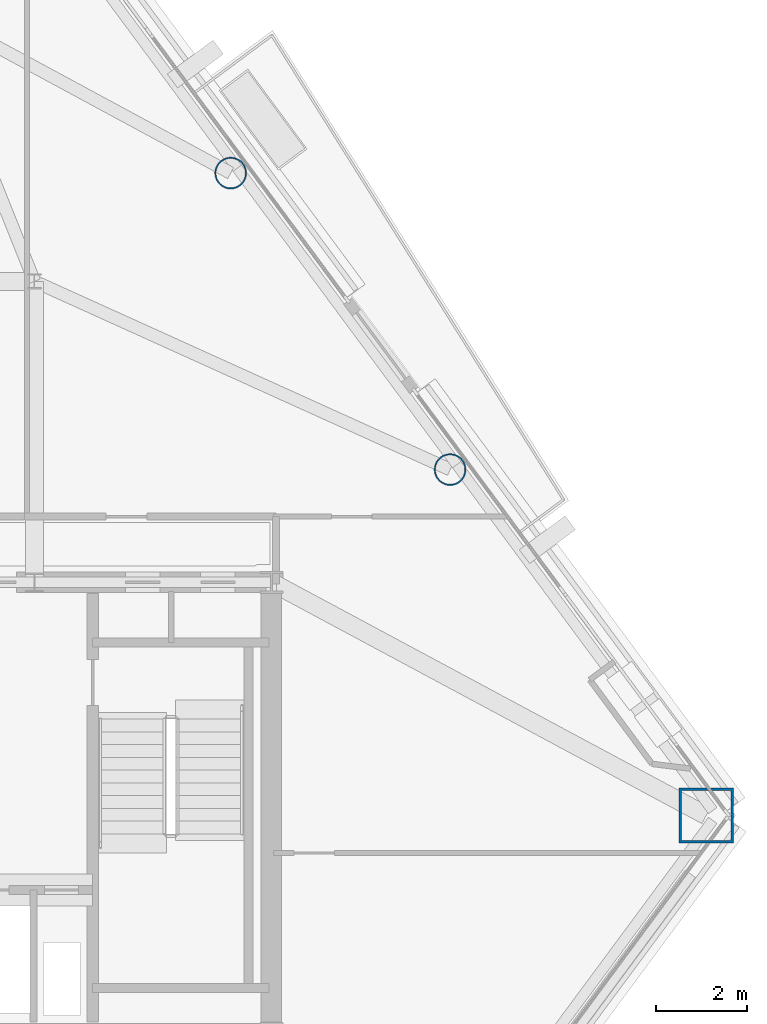
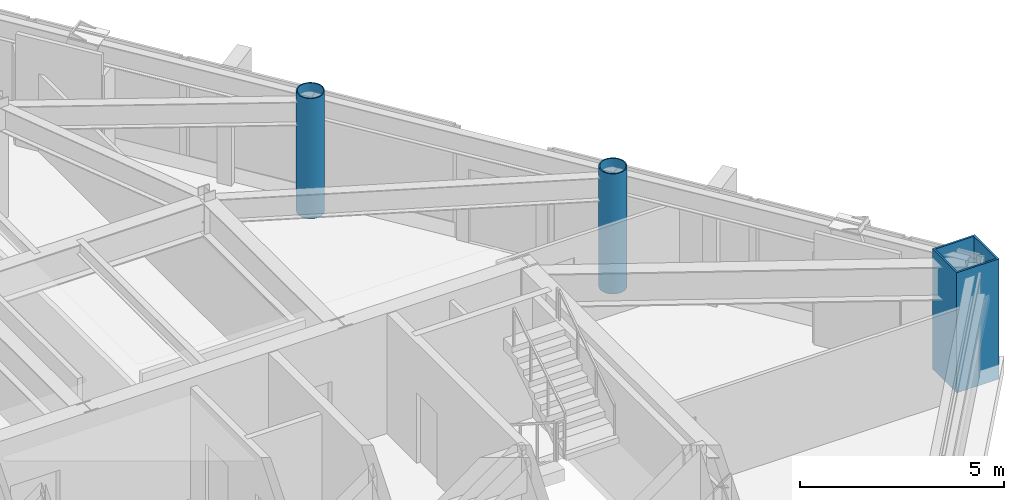
# One storey, part 2 of 13: 3 columns.
"""IFC4 building model written with IfcOpenShell, lengths in metres."""

from ifc_helpers import new_model, si_unit, direction, frame, origin, origin_2d, place, context, subcontext, project, spatial, hollow_rectangle, hollow_circle, extrude, material, material_profile, profile_set, type_object, element, save


model = new_model("IFC4")

# Units and contexts
model_context = context("Model", 3, precision=1e-05, world=origin(), true_north=direction((0.0, 1.0)))
body_context = subcontext(model_context, "Body", "Model", "MODEL_VIEW")
ifc_project = project(units=[si_unit("LENGTHUNIT", "METRE"), si_unit("AREAUNIT", "SQUARE_METRE"), si_unit("VOLUMEUNIT", "CUBIC_METRE"), si_unit("PLANEANGLEUNIT", "RADIAN"), si_unit("MASSUNIT", "GRAM", prefix="KILO")], contexts=[model_context])

# Site, building, storey
site_placement = place(None, origin())
site = spatial("IfcSite", under=ifc_project, at=site_placement, CompositionType="ELEMENT")
building_placement = place(site_placement, origin())
building = spatial("IfcBuilding", under=site, at=building_placement, Name="Talgorran Terracotta Tower", CompositionType="ELEMENT")
storey_placement = place(building_placement, frame((0.0, 0.0, 99.60009765625)))
storey = spatial("IfcBuildingStorey", under=building, at=storey_placement, Name="L25", CompositionType="ELEMENT", Elevation=99.60009765625)

# Columns
ifc_material = material(Name="Steel Grade 350 (350L0)", Category="steel")
ifc_material_profile_1 = material_profile(ifc_material, hollow_rectangle(XDim=1.199951171875, YDim=1.199951171875, WallThickness=0.054931640625, at=origin_2d()), Name="CFT1200X1200X55")
ifc_profile_set_1 = profile_set([ifc_material_profile_1], Name="Steel Grade 350 (350L0)")
column_type_1 = type_object("IfcColumnType", Name="COL_CFT_1200", PredefinedType="COLUMN", material=ifc_profile_set_1)
column_placement = place(storey_placement, frame((21.934326171875, -9.315673828125, 0.0), z_axis=(0.0, 0.0, 1.0), x_axis=(1.0, 0.0, 0.0)))
element("IfcColumn", 1, at=column_placement, inside=storey, type_object=column_type_1, Name="L25 Corner CFT Mega-Column MC4", PredefinedType="COLUMN", context=body_context, shape_type="SweptSolid", body=[
    extrude(hollow_rectangle(XDim=1.199951171875, YDim=1.199951171875, WallThickness=0.054931640625, at=origin_2d()), origin(), (0.0, 0.0, 1.0), 3.599853515625),
])
ifc_material_profile_2 = material_profile(ifc_material, hollow_circle(Radius=0.35009765625, WallThickness=0.030029296875, at=origin_2d()), Name="CHS700X30")
ifc_profile_set_2 = profile_set([ifc_material_profile_2], Name="Steel Grade 350 (350L0)")
column_type_2 = type_object("IfcColumnType", Name="COL_CHS_700", PredefinedType="COLUMN", material=ifc_profile_set_2)
for number, where, z_axis, x_axis, name in (
    (2, (16.31884765625, -1.728515625, 0.0), (0.0, 0.0, 1.0), (1.0, 0.0, 0.0), "L25 Facet Perimeter Column FC3"),
    (3, (11.505615234375, 4.77490234375, 0.0), (0.0, 0.0, 1.0), (1.0, 0.0, 0.0), "L25 Facet Perimeter Column FC4"),
):
    element("IfcColumn", number, at=place(storey_placement, frame(where, z_axis=z_axis, x_axis=x_axis)), inside=storey, type_object=column_type_2, Name=name, PredefinedType="COLUMN", context=body_context, shape_type="SweptSolid", body=[
        extrude(hollow_circle(Radius=0.35009765625, WallThickness=0.030029296875, at=origin_2d()), origin(), (0.0, 0.0, 1.0), 3.599853515625),
    ])

save(model, "model.ifc")
